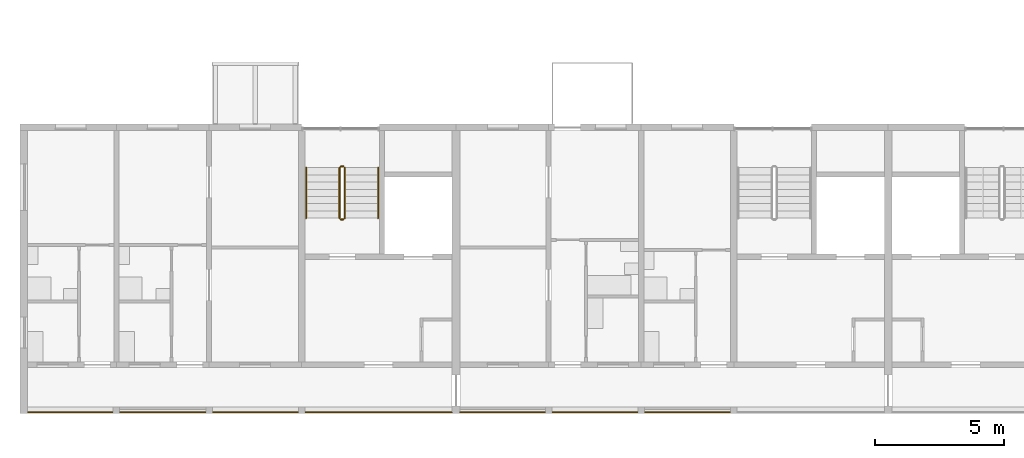
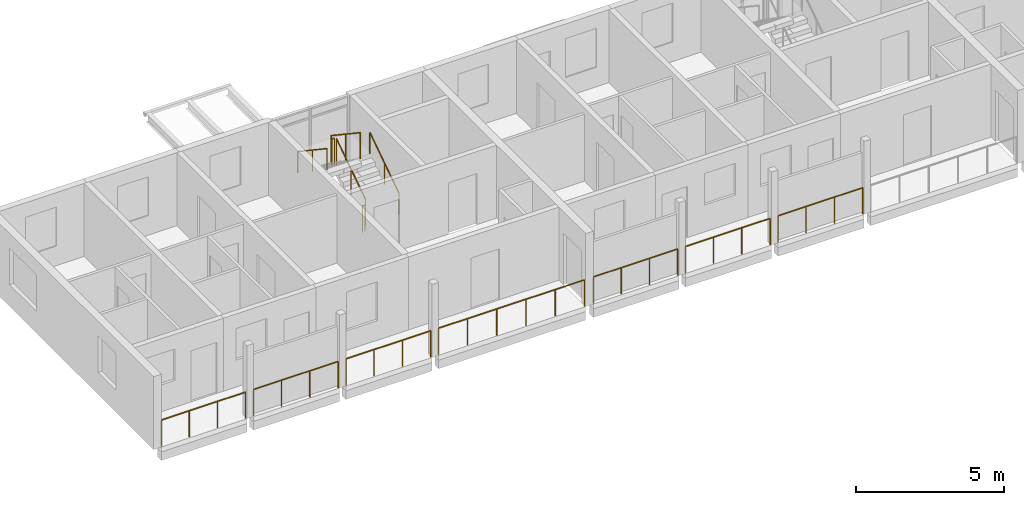
# One storey, part 69 of 87: 13 railings.
"""IFC4 building model written with IfcOpenShell, lengths in metres."""

from ifc_helpers import new_model, si_unit, direction, frame, origin, origin_2d, place, context, subcontext, project, spatial, circle, extrude, material, type_object, element, save


model = new_model("IFC4")

# Units and contexts
model_context = context("Model", 3, precision=1e-05, world=origin(), true_north=direction((0.0, 1.0)))
body_context = subcontext(model_context, "Body", "Model", "MODEL_VIEW")
ifc_project = project(units=[si_unit("LENGTHUNIT", "METRE"), si_unit("AREAUNIT", "SQUARE_METRE"), si_unit("VOLUMEUNIT", "CUBIC_METRE"), si_unit("PLANEANGLEUNIT", "RADIAN"), si_unit("MASSUNIT", "GRAM", prefix="KILO")], contexts=[model_context])

# Site, building, storey
site_placement = place(None, origin())
site = spatial("IfcSite", under=ifc_project, at=site_placement, CompositionType="ELEMENT")
building_placement = place(site_placement, origin())
building = spatial("IfcBuilding", under=site, at=building_placement, Name="Ridgestep Commons", CompositionType="ELEMENT")
storey_placement = place(building_placement, frame((0.0, 0.0, 27.0)))
storey = spatial("IfcBuildingStorey", under=building, at=storey_placement, Name="L09", CompositionType="ELEMENT", Elevation=27.0)

# Railings
ifc_material_1 = material(Name="Structural steel S355JR", Category="steel")
railing_type_1 = type_object("IfcRailingType", Name="Guard 1100", PredefinedType="GUARDRAIL", material=ifc_material_1)
railing_1_placement = place(storey_placement, frame((12.1708984375, 11.800048828125, 0.0)))
element("IfcRailing", 1, at=railing_1_placement, inside=storey, type_object=railing_type_1, Name="Gallery guard A 09.1", PredefinedType="GUARDRAIL", context=body_context, shape_type="SweptSolid", body=[
    extrude(circle(Radius=0.02392578125, at=origin_2d()), frame((0.0, 0.0, 1.076171875), z_axis=(1.0, 0.0, 0.0), x_axis=(0.0, 1.0, 0.0)), (0.0, 0.0, 1.0), 3.283203125),
    extrude(circle(Radius=0.02099609375, at=origin_2d()), origin(), (0.0, 0.0, 1.0), 1.052001953125),
    extrude(circle(Radius=0.02099609375, at=origin_2d()), frame((1.094482421875, 0.0, 0.0)), (0.0, 0.0, 1.0), 1.052001953125),
    extrude(circle(Radius=0.02099609375, at=origin_2d()), frame((2.188720703125, 0.0, 0.0)), (0.0, 0.0, 1.0), 1.052001953125),
    extrude(circle(Radius=0.02099609375, at=origin_2d()), frame((3.283203125, 0.0, 0.0)), (0.0, 0.0, 1.0), 1.052001953125),
])
railing_2_placement = place(storey_placement, frame((15.74609375, 11.800048828125, 0.0)))
element("IfcRailing", 2, at=railing_2_placement, inside=storey, type_object=railing_type_1, Name="Gallery guard A 09.2", PredefinedType="GUARDRAIL", context=body_context, shape_type="SweptSolid", body=[
    extrude(circle(Radius=0.02392578125, at=origin_2d()), frame((0.0, 0.0, 1.076171875), z_axis=(1.0, 0.0, 0.0), x_axis=(0.0, 1.0, 0.0)), (0.0, 0.0, 1.0), 3.307861328125),
    extrude(circle(Radius=0.02099609375, at=origin_2d()), origin(), (0.0, 0.0, 1.0), 1.052001953125),
    extrude(circle(Radius=0.02099609375, at=origin_2d()), frame((1.1025390625, 0.0, 0.0)), (0.0, 0.0, 1.0), 1.052001953125),
    extrude(circle(Radius=0.02099609375, at=origin_2d()), frame((2.205322265625, 0.0, 0.0)), (0.0, 0.0, 1.0), 1.052001953125),
    extrude(circle(Radius=0.02099609375, at=origin_2d()), frame((3.307861328125, 0.0, 0.0)), (0.0, 0.0, 1.0), 1.052001953125),
])
railing_3_placement = place(storey_placement, frame((19.345947265625, 11.800048828125, 0.0)))
element("IfcRailing", 3, at=railing_3_placement, inside=storey, type_object=railing_type_1, Name="Gallery guard A 09.3", PredefinedType="GUARDRAIL", context=body_context, shape_type="SweptSolid", body=[
    extrude(circle(Radius=0.02392578125, at=origin_2d()), frame((0.0, 0.0, 1.076171875), z_axis=(1.0, 0.0, 0.0), x_axis=(0.0, 1.0, 0.0)), (0.0, 0.0, 1.0), 3.30810546875),
    extrude(circle(Radius=0.02099609375, at=origin_2d()), origin(), (0.0, 0.0, 1.0), 1.052001953125),
    extrude(circle(Radius=0.02099609375, at=origin_2d()), frame((1.102783203125, 0.0, 0.0)), (0.0, 0.0, 1.0), 1.052001953125),
    extrude(circle(Radius=0.02099609375, at=origin_2d()), frame((2.205322265625, 0.0, 0.0)), (0.0, 0.0, 1.0), 1.052001953125),
    extrude(circle(Radius=0.02099609375, at=origin_2d()), frame((3.30810546875, 0.0, 0.0)), (0.0, 0.0, 1.0), 1.052001953125),
])
railing_4_placement = place(storey_placement, frame((22.946044921875, 11.800048828125, 0.0)))
element("IfcRailing", 4, at=railing_4_placement, inside=storey, type_object=railing_type_1, Name="Gallery guard A 09.4", PredefinedType="GUARDRAIL", context=body_context, shape_type="SweptSolid", body=[
    extrude(circle(Radius=0.02392578125, at=origin_2d()), frame((0.0, 0.0, 1.076171875), z_axis=(1.0, 0.0, 0.0), x_axis=(0.0, 1.0, 0.0)), (0.0, 0.0, 1.0), 5.682861328125),
    extrude(circle(Radius=0.02099609375, at=origin_2d()), origin(), (0.0, 0.0, 1.0), 1.052001953125),
    extrude(circle(Radius=0.02099609375, at=origin_2d()), frame((1.136474609375, 0.0, 0.0)), (0.0, 0.0, 1.0), 1.052001953125),
    extrude(circle(Radius=0.02099609375, at=origin_2d()), frame((2.273193359375, 0.0, 0.0)), (0.0, 0.0, 1.0), 1.052001953125),
    extrude(circle(Radius=0.02099609375, at=origin_2d()), frame((3.40966796875, 0.0, 0.0)), (0.0, 0.0, 1.0), 1.052001953125),
    extrude(circle(Radius=0.02099609375, at=origin_2d()), frame((4.54638671875, 0.0, 0.0)), (0.0, 0.0, 1.0), 1.052001953125),
    extrude(circle(Radius=0.02099609375, at=origin_2d()), frame((5.682861328125, 0.0, 0.0)), (0.0, 0.0, 1.0), 1.052001953125),
])
railing_5_placement = place(storey_placement, frame((28.970947265625, 11.800048828125, 0.0)))
element("IfcRailing", 5, at=railing_5_placement, inside=storey, type_object=railing_type_1, Name="Gallery guard A 09.5", PredefinedType="GUARDRAIL", context=body_context, shape_type="SweptSolid", body=[
    extrude(circle(Radius=0.02392578125, at=origin_2d()), frame((0.0, 0.0, 1.076171875), z_axis=(1.0, 0.0, 0.0), x_axis=(0.0, 1.0, 0.0)), (0.0, 0.0, 1.0), 3.282958984375),
    extrude(circle(Radius=0.02099609375, at=origin_2d()), origin(), (0.0, 0.0, 1.0), 1.052001953125),
    extrude(circle(Radius=0.02099609375, at=origin_2d()), frame((1.09423828125, 0.0, 0.0)), (0.0, 0.0, 1.0), 1.052001953125),
    extrude(circle(Radius=0.02099609375, at=origin_2d()), frame((2.188720703125, 0.0, 0.0)), (0.0, 0.0, 1.0), 1.052001953125),
    extrude(circle(Radius=0.02099609375, at=origin_2d()), frame((3.282958984375, 0.0, 0.0)), (0.0, 0.0, 1.0), 1.052001953125),
])
for number, where, name in (
    (6, (32.5458984375, 11.800048828125, 0.0), "Gallery guard A 09.6"),
    (7, (36.14599609375, 11.800048828125, 0.0), "Gallery guard A 09.7"),
):
    element("IfcRailing", number, at=place(storey_placement, frame(where)), inside=storey, type_object=railing_type_1, Name=name, PredefinedType="GUARDRAIL", context=body_context, shape_type="SweptSolid", body=[
        extrude(circle(Radius=0.02392578125, at=origin_2d()), frame((0.0, 0.0, 1.076171875), z_axis=(1.0, 0.0, 0.0), x_axis=(0.0, 1.0, 0.0)), (0.0, 0.0, 1.0), 3.30810546875),
        extrude(circle(Radius=0.02099609375, at=origin_2d()), origin(), (0.0, 0.0, 1.0), 1.052001953125),
        extrude(circle(Radius=0.02099609375, at=origin_2d()), frame((1.102783203125, 0.0, 0.0)), (0.0, 0.0, 1.0), 1.052001953125),
        extrude(circle(Radius=0.02099609375, at=origin_2d()), frame((2.205322265625, 0.0, 0.0)), (0.0, 0.0, 1.0), 1.052001953125),
        extrude(circle(Radius=0.02099609375, at=origin_2d()), frame((3.30810546875, 0.0, 0.0)), (0.0, 0.0, 1.0), 1.052001953125),
    ])
ifc_material_2 = material(Name="Structural steel S355JR", Category="steel")
railing_type_2 = type_object("IfcRailingType", Name="Stair guard 1100", PredefinedType="GUARDRAIL", material=ifc_material_2)
railing_6_placement = place(storey_placement, frame((24.47509765625, 19.35009765625, 0.1875)))
element("IfcRailing", 8, at=railing_6_placement, inside=storey, type_object=railing_type_2, Name="L09 A1C stair guard 1", PredefinedType="GUARDRAIL", context=body_context, shape_type="SweptSolid", body=[
    extrude(circle(Radius=0.02392578125, at=origin_2d()), frame((0.0, 0.0, 1.076171875), z_axis=(0.0, 0.830902050051, 0.556418712142), x_axis=(-1.0, 0.0, 0.0)), (0.0, 0.0, 1.0), 2.35888671875),
    extrude(circle(Radius=0.02099609375, at=origin_2d()), origin(), (0.0, 0.0, 1.0), 1.052001953125),
    extrude(circle(Radius=0.02099609375, at=origin_2d()), frame((0.0, 0.97998046875, 0.65625)), (0.0, 0.0, 1.0), 1.052001953125),
    extrude(circle(Radius=0.02099609375, at=origin_2d()), frame((0.0, 1.9599609375, 1.3125)), (0.0, 0.0, 1.0), 1.052001953125),
])
railing_7_placement = place(storey_placement, frame((24.425048828125, 21.360107421875, 1.5)))
element("IfcRailing", 9, at=railing_7_placement, inside=storey, type_object=railing_type_2, Name="L09 A1C stair guard 2", PredefinedType="GUARDRAIL", context=body_context, shape_type="SweptSolid", body=[
    extrude(circle(Radius=0.02392578125, at=origin_2d()), frame((0.0, 0.0, 1.076171875), z_axis=(-1.0, 0.0, 0.0), x_axis=(0.0, -1.0, 0.0)), (0.0, 0.0, 1.0), 0.10009765625),
    extrude(circle(Radius=0.02099609375, at=origin_2d()), origin(), (0.0, 0.0, 1.0), 1.052001953125),
    extrude(circle(Radius=0.02099609375, at=origin_2d()), frame((-0.10009765625, 0.0, 0.0)), (0.0, 0.0, 1.0), 1.052001953125),
])
railing_8_placement = place(storey_placement, frame((24.27490234375, 21.31005859375, 1.6875)))
element("IfcRailing", 10, at=railing_8_placement, inside=storey, type_object=railing_type_2, Name="L09 A1C stair guard 3", PredefinedType="GUARDRAIL", context=body_context, shape_type="SweptSolid", body=[
    extrude(circle(Radius=0.02392578125, at=origin_2d()), frame((0.0, 0.0, 1.076171875), z_axis=(0.0, -0.830902050051, 0.556418712142), x_axis=(1.0, 0.0, 0.0)), (0.0, 0.0, 1.0), 2.35888671875),
    extrude(circle(Radius=0.02099609375, at=origin_2d()), origin(), (0.0, 0.0, 1.0), 1.052001953125),
    extrude(circle(Radius=0.02099609375, at=origin_2d()), frame((0.0, -0.97998046875, 0.65625)), (0.0, 0.0, 1.0), 1.052001953125),
    extrude(circle(Radius=0.02099609375, at=origin_2d()), frame((0.0, -1.9599609375, 1.3125)), (0.0, 0.0, 1.0), 1.052001953125),
])
railing_9_placement = place(storey_placement, frame((24.425048828125, 19.300048828125, 0.0)))
element("IfcRailing", 11, at=railing_9_placement, inside=storey, type_object=railing_type_2, Name="L09 A1C stair guard 4", PredefinedType="GUARDRAIL", context=body_context, shape_type="SweptSolid", body=[
    extrude(circle(Radius=0.02392578125, at=origin_2d()), frame((0.0, 0.0, 1.076171875), z_axis=(-1.0, 0.0, 0.0), x_axis=(0.0, -1.0, 0.0)), (0.0, 0.0, 1.0), 0.10009765625),
    extrude(circle(Radius=0.02099609375, at=origin_2d()), origin(), (0.0, 0.0, 1.0), 1.052001953125),
    extrude(circle(Radius=0.02099609375, at=origin_2d()), frame((-0.10009765625, 0.0, 0.0)), (0.0, 0.0, 1.0), 1.052001953125),
])
ifc_material_3 = material(Name="Structural steel S355JR", Category="steel")
railing_type_3 = type_object("IfcRailingType", Name="Stair handrail 900", PredefinedType="HANDRAIL", material=ifc_material_3)
railing_10_placement = place(storey_placement, frame((25.77490234375, 19.35009765625, 0.1875)))
element("IfcRailing", 12, at=railing_10_placement, inside=storey, type_object=railing_type_3, Name="L09 A1C stair handrail 1", PredefinedType="HANDRAIL", context=body_context, shape_type="SweptSolid", body=[
    extrude(circle(Radius=0.02392578125, at=origin_2d()), frame((0.0, 0.0, 0.8759765625), z_axis=(0.0, 0.830902050051, 0.556418712142), x_axis=(-1.0, 0.0, 0.0)), (0.0, 0.0, 1.0), 2.35888671875),
    extrude(circle(Radius=0.02099609375, at=origin_2d()), origin(), (0.0, 0.0, 1.0), 0.851806640625),
    extrude(circle(Radius=0.02099609375, at=origin_2d()), frame((0.0, 0.97998046875, 0.65625)), (0.0, 0.0, 1.0), 0.851806640625),
    extrude(circle(Radius=0.02099609375, at=origin_2d()), frame((0.0, 1.9599609375, 1.3125)), (0.0, 0.0, 1.0), 0.851806640625),
])
railing_11_placement = place(storey_placement, frame((22.97509765625, 21.31005859375, 1.6875)))
element("IfcRailing", 13, at=railing_11_placement, inside=storey, type_object=railing_type_3, Name="L09 A1C stair handrail 2", PredefinedType="HANDRAIL", context=body_context, shape_type="SweptSolid", body=[
    extrude(circle(Radius=0.02392578125, at=origin_2d()), frame((0.0, 0.0, 0.8759765625), z_axis=(0.0, -0.830902050051, 0.556418712142), x_axis=(1.0, 0.0, 0.0)), (0.0, 0.0, 1.0), 2.35888671875),
    extrude(circle(Radius=0.02099609375, at=origin_2d()), origin(), (0.0, 0.0, 1.0), 0.851806640625),
    extrude(circle(Radius=0.02099609375, at=origin_2d()), frame((0.0, -0.97998046875, 0.65625)), (0.0, 0.0, 1.0), 0.851806640625),
    extrude(circle(Radius=0.02099609375, at=origin_2d()), frame((0.0, -1.9599609375, 1.3125)), (0.0, 0.0, 1.0), 0.851806640625),
])

save(model, "model.ifc")
